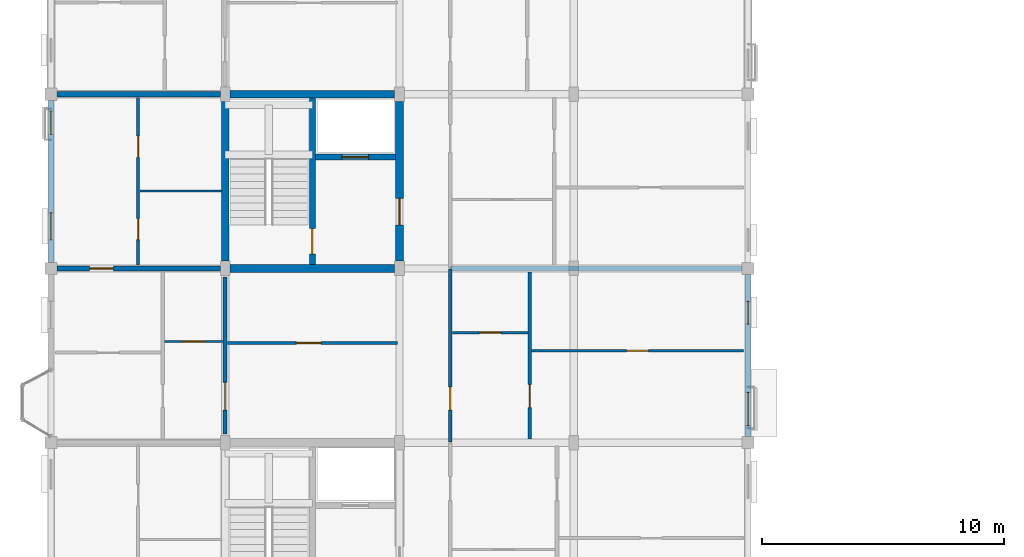
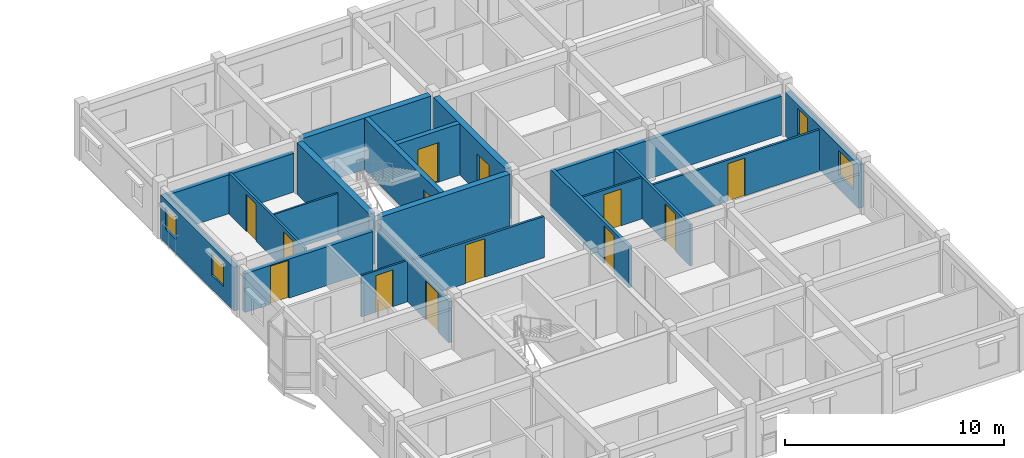
# One storey, part 18 of 38: 20 walls, 13 doors, 4 windows, 17 openings.
"""IFC4 building model written with IfcOpenShell, lengths in metres."""

import ifcopenshell
import ifcopenshell.guid

model = None  # the IFC model being written
_history = None  # IfcOwnerHistory: only IFC2X3 demands one
_inside = {}  # id of a spatial element -> (the spatial element, [elements in it])
_under = {}  # id of a project, library or spatial element -> (it, [spatial elements below it])
_declared = {}  # id of a project -> (the project, [libraries it declares])
_typed = {}  # id of a type object -> (the type object, [elements of that type])
_made_of = {}  # id of a material, layer set ... -> (it, [elements and type objects made of it])


def new_model(schema):
    """Start an empty IFC model of exactly this schema.

    Asked for "IFC4X3", IfcOpenShell would pick the latest addendum, in which some entities
    have other attributes; the version numbers below select the first issue.
    IFC2X3 requires an IfcOwnerHistory on every rooted entity: one is made here for all.
    """
    global model, _history
    if schema == "IFC4X3":
        model = ifcopenshell.file(schema_version=(4, 3, 0, 0))
    else:
        model = ifcopenshell.file(schema=schema)
    _inside.clear()
    _under.clear()
    _declared.clear()
    _typed.clear()
    _made_of.clear()
    _history = None
    if model.schema == "IFC2X3":
        org = make("IfcOrganization", Name="unknown")
        user = make(
            "IfcPersonAndOrganization",
            ThePerson=make("IfcPerson", FamilyName="unknown"),
            TheOrganization=org,
        )
        app = make(
            "IfcApplication",
            ApplicationDeveloper=org,
            Version="unknown",
            ApplicationFullName="unknown",
            ApplicationIdentifier="unknown",
        )
        _history = make(
            "IfcOwnerHistory",
            OwningUser=user,
            OwningApplication=app,
            ChangeAction="ADDED",
            CreationDate=0,
        )
    return model


def make(cls, **values):
    """One entity of the class cls with the attributes given. An attribute that is None is left unset."""
    return model.create_entity(
        cls, **{name: value for name, value in values.items() if value is not None}
    )


def rooted(cls, **values):
    """An entity with a GlobalId (a new one), such as an element, a storey or a relation."""
    return make(cls, GlobalId=ifcopenshell.guid.new(), OwnerHistory=_history, **values)


def si_unit(unit_type, name, prefix=None):
    """IfcSIUnit, for example si_unit("LENGTHUNIT", "METRE", prefix="MILLI")."""
    return make("IfcSIUnit", UnitType=unit_type, Prefix=prefix, Name=name)


def assignment(units):
    """IfcUnitAssignment: the units of a project."""
    return None if units is None else make("IfcUnitAssignment", Units=units)


def point(xyz):
    """IfcCartesianPoint."""
    return None if xyz is None else make("IfcCartesianPoint", Coordinates=xyz)


def direction(xyz):
    """IfcDirection."""
    return None if xyz is None else make("IfcDirection", DirectionRatios=xyz)


def frame(location, z_axis=None, x_axis=None):
    """IfcAxis2Placement3D, a coordinate frame: its origin and axes. An axis left out is left unset."""
    return make(
        "IfcAxis2Placement3D",
        Location=point(location),
        Axis=direction(z_axis),
        RefDirection=direction(x_axis),
    )


def frame_2d(location, x_axis=None):
    """IfcAxis2Placement2D, a coordinate frame in the plane: its origin and x axis."""
    return make(
        "IfcAxis2Placement2D", Location=point(location), RefDirection=direction(x_axis)
    )


def origin():
    """The frame at (0, 0, 0) with its axes left unset."""
    return frame((0.0, 0.0, 0.0))


def place(relative_to, where):
    """IfcLocalPlacement: puts the frame where relative to a parent placement (None: the world)."""
    return make(
        "IfcLocalPlacement", PlacementRelTo=relative_to, RelativePlacement=where
    )


def context(
    kind, dimensions, precision=None, world=None, true_north=None, identifier=None
):
    """IfcGeometricRepresentationContext, for example the 3D "Model" context."""
    return make(
        "IfcGeometricRepresentationContext",
        ContextIdentifier=identifier,
        ContextType=kind,
        CoordinateSpaceDimension=dimensions,
        Precision=precision,
        WorldCoordinateSystem=world,
        TrueNorth=true_north,
    )


def subcontext(parent, identifier, kind, view, scale=None):
    """IfcGeometricRepresentationSubContext, for example "Body" below "Model"."""
    return make(
        "IfcGeometricRepresentationSubContext",
        ContextIdentifier=identifier,
        ContextType=kind,
        ParentContext=parent,
        TargetScale=scale,
        TargetView=view,
    )


def project(units=None, contexts=None):
    """IfcProject with its units and contexts."""
    return rooted(
        "IfcProject",
        Name="project",
        RepresentationContexts=contexts,
        UnitsInContext=assignment(units),
    )


def spatial(cls, under=None, at=None, **own):
    """A site, building, storey or space (cls), placed at a placement, below another one or the project."""
    s = rooted(cls, ObjectPlacement=at, **own)
    if under is not None:
        _under.setdefault(under.id(), (under, []))[1].append(s)
    return s


def profile(cls, at=None, kind="AREA", **sizes):
    """A parametric profile (cls). Its sizes go by their IFC names, for example OverallWidth=200.0."""
    return make(cls, ProfileType=kind, Position=at, **sizes)


def rectangle(**sizes):
    """IfcRectangleProfileDef."""
    return profile("IfcRectangleProfileDef", **sizes)


def extrude(swept, where, along, depth):
    """IfcExtrudedAreaSolid: the profile swept, set in the frame where, extruded along a direction by depth."""
    return make(
        "IfcExtrudedAreaSolid",
        SweptArea=swept,
        Position=where,
        ExtrudedDirection=direction(along),
        Depth=depth,
    )


def shape(context_of_items, identifier, shape_type, items):
    """IfcShapeRepresentation: the items that make up one representation, for example the "Body"."""
    return make(
        "IfcShapeRepresentation",
        ContextOfItems=context_of_items,
        RepresentationIdentifier=identifier,
        RepresentationType=shape_type,
        Items=items,
    )


def material(Name=None, Category=None):
    """IfcMaterial."""
    return make("IfcMaterial", Name=Name, Category=Category)


def layer(
    of_material, thickness, ventilated=None, Name=None, Category=None, Priority=None
):
    """IfcMaterialLayer: one layer of a wall or slab, of a material (None: an air gap)."""
    return make(
        "IfcMaterialLayer",
        Material=of_material,
        LayerThickness=thickness,
        IsVentilated=ventilated,
        Name=Name,
        Category=Category,
        Priority=Priority,
    )


def layer_set(layers, Name=None):
    """IfcMaterialLayerSet."""
    return make("IfcMaterialLayerSet", MaterialLayers=layers, LayerSetName=Name)


def made_of(thing, what):
    """Note that an element or type object is made of a material, layer set ...; save() writes the relation."""
    if what is not None:
        _made_of.setdefault(what.id(), (what, []))[1].append(thing)
    return thing


def type_object(cls, material=None, **own):
    """A type object (cls), such as IfcWallType, which elements share."""
    return made_of(rooted(cls, **own), material)


def element(
    cls,
    number,
    at=None,
    inside=None,
    cuts=None,
    type_object=None,
    material=None,
    context=None,
    identifier="Body",
    shape_type=None,
    held_by="IfcProductDefinitionShape",
    body=None,
    shapes=None,
    **own,
):
    """One element of the class cls, such as IfcWall. Its Tag is "e" and its number.

    at: its placement. inside: the storey or other place that contains it. cuts: it is an
    opening in that element (IfcRelVoidsElement). A single representation is given by context,
    identifier, shape_type and body (its items); several are given by shapes. held_by: the class
    of the entity that holds the representations. save() writes the other relations.
    """
    e = rooted(cls, Tag="e%d" % number, ObjectPlacement=at, **own)
    if body is not None:
        shapes = [shape(context, identifier, shape_type, body)]
    if shapes is not None:
        e.Representation = make(held_by, Representations=shapes)
    if inside is not None:
        _inside.setdefault(inside.id(), (inside, []))[1].append(e)
    if cuts is not None:
        rooted(
            "IfcRelVoidsElement", RelatingBuildingElement=cuts, RelatedOpeningElement=e
        )
    if type_object is not None:
        _typed.setdefault(type_object.id(), (type_object, []))[1].append(e)
    return made_of(e, material)


def fill(opening, filler):
    """IfcRelFillsElement: the door or window that sits in an opening."""
    return rooted(
        "IfcRelFillsElement",
        RelatingOpeningElement=opening,
        RelatedBuildingElement=filler,
    )


def aggregate(whole, parts):
    """IfcRelAggregates: a whole, such as a stair, and the parts it consists of."""
    return rooted("IfcRelAggregates", RelatingObject=whole, RelatedObjects=parts)


def save(model, path):
    """Write the relations noted so far, then the file.

    IfcRelAggregates (storeys below a building ...), IfcRelContainedInSpatialStructure (elements
    in a storey), IfcRelDefinesByType, IfcRelAssociatesMaterial and IfcRelDeclares: one each for
    every whole, place, type object, material and project.
    """
    for whole, parts in _under.values():
        aggregate(whole, parts)
    for where, things in _inside.values():
        rooted(
            "IfcRelContainedInSpatialStructure",
            RelatedElements=things,
            RelatingStructure=where,
        )
    for kind, things in _typed.values():
        rooted("IfcRelDefinesByType", RelatedObjects=things, RelatingType=kind)
    for what, things in _made_of.values():
        rooted("IfcRelAssociatesMaterial", RelatedObjects=things, RelatingMaterial=what)
    for by, libraries in _declared.values():
        rooted("IfcRelDeclares", RelatingContext=by, RelatedDefinitions=libraries)
    model.write(path)


model = new_model("IFC4")

# Units and contexts
model_context = context("Model", 3, precision=1e-05, world=origin(), true_north=direction((0.0, 1.0)))
body_context = subcontext(model_context, "Body", "Model", "MODEL_VIEW")
ifc_project = project(units=[si_unit("LENGTHUNIT", "METRE"), si_unit("AREAUNIT", "SQUARE_METRE"), si_unit("VOLUMEUNIT", "CUBIC_METRE"), si_unit("PLANEANGLEUNIT", "RADIAN"), si_unit("MASSUNIT", "GRAM", prefix="KILO"), si_unit("THERMODYNAMICTEMPERATUREUNIT", "KELVIN"), si_unit("POWERUNIT", "WATT")], contexts=[model_context])

# Site, building, storey
site_placement = place(None, origin())
site = spatial("IfcSite", under=ifc_project, at=site_placement, CompositionType="ELEMENT")
building_placement = place(site_placement, origin())
building = spatial("IfcBuilding", under=site, at=building_placement, Name="Tavuni Mirador Residences", CompositionType="ELEMENT")
storey_placement = place(building_placement, frame((0.0, 0.0, 32.85009765625)))
storey = spatial("IfcBuildingStorey", under=building, at=storey_placement, Name="L10", CompositionType="ELEMENT", Elevation=32.85009765625)

# Wall, opening, door
ifc_material_1 = material(Name="Precast concrete C40/50", Category="concrete")
ifc_layer_1 = layer(ifc_material_1, 0.25, Name="Precast concrete C40/50", Category="concrete")
ifc_layer_set_1 = layer_set([ifc_layer_1], Name="Precast concrete C40/50")
wall_type_1 = type_object("IfcWallType", Name="WT-COR250", PredefinedType="SHEAR", material=ifc_layer_set_1)
wall_1_placement = place(storey_placement, frame((14.39990234375, 28.9599609375, 0.0), z_axis=(0.0, 0.0, 1.0), x_axis=(0.0, 1.0, 0.0)))
wall_1 = element("IfcWall", 1, at=wall_1_placement, inside=storey, type_object=wall_type_1, Name="CWALL-C2-L10-MID", PredefinedType="SHEAR", context=body_context, shape_type="SweptSolid", body=[
    extrude(rectangle(XDim=6.880126953125, YDim=0.25, at=frame_2d((3.43994140625, 0.0))), origin(), (0.0, 0.0, 1.0), 2.869873046875),
])
opening_1_placement = place(wall_1_placement, frame((0.43994140625, 0.0, 0.0)))
opening_1 = element("IfcOpeningElement", 2, at=opening_1_placement, cuts=wall_1, Name="Opening D-01", PredefinedType="OPENING", context=body_context, shape_type="SweptSolid", body=[
    extrude(rectangle(XDim=1.050048828125, YDim=2.14990234375, at=frame_2d((0.52490234375, 1.074951171875))), frame((0.0, 0.135009765625, 0.0), z_axis=(0.0, -1.0, 0.0), x_axis=(1.0, 0.0, 0.0)), (0.0, 0.0, 1.0), 0.27001953125),
])
ifc_material_2 = material(Name="Solid core iroko timber", Category="wood")
door_type_1 = type_object("IfcDoorType", Name="DT-ST1050", OperationType="NOTDEFINED", PredefinedType="DOOR", material=ifc_material_2)
door_1_placement = place(opening_1_placement, origin())
door_1 = element("IfcDoor", 3, at=door_1_placement, inside=storey, type_object=door_type_1, Name="DR-2090", OperationType="SINGLE_SWING_RIGHT", OverallHeight=2.14990234375, OverallWidth=1.050048828125, PredefinedType="DOOR", context=body_context, shape_type="SweptSolid", body=[
    extrude(rectangle(XDim=1.050048828125, YDim=2.14990234375, at=frame_2d((0.52490234375, 1.074951171875))), frame((0.0, 0.02490234375, 0.0), z_axis=(0.0, -1.0, 0.0), x_axis=(1.0, 0.0, 0.0)), (0.0, 0.0, 1.0), 0.050048828125),
])
fill(opening_1, door_1)

wall_2_placement = place(storey_placement, frame((14.52490234375, 33.39990234375, 0.0), z_axis=(0.0, 0.0, 1.0), x_axis=(1.0, 0.0, 0.0)))
wall_2 = element("IfcWall", 4, at=wall_2_placement, inside=storey, type_object=wall_type_1, Name="CWALL-C2-L10-SHF", PredefinedType="SHEAR", context=body_context, shape_type="SweptSolid", body=[
    extrude(rectangle(XDim=3.315185546875, YDim=0.25, at=frame_2d((1.65771484375, 0.0))), origin(), (0.0, 0.0, 1.0), 2.869873046875),
])
opening_2_placement = place(wall_2_placement, frame((1.10009765625, 0.0, 0.0)))
opening_2 = element("IfcOpeningElement", 5, at=opening_2_placement, cuts=wall_2, Name="Opening LD-01", PredefinedType="OPENING", context=body_context, shape_type="SweptSolid", body=[
    extrude(rectangle(XDim=1.10009765625, YDim=2.199951171875, at=frame_2d((0.550048828125, 1.10009765625))), frame((0.0, 0.135009765625, 0.0), z_axis=(0.0, -1.0, 0.0), x_axis=(1.0, 0.0, 0.0)), (0.0, 0.0, 1.0), 0.27001953125),
])
ifc_material_3 = material(Name="Structural steel S355", Category="steel")
door_type_2 = type_object("IfcDoorType", Name="DT-LD-FF", OperationType="SLIDING_TO_LEFT", PredefinedType="DOOR", material=ifc_material_3)
door_2_placement = place(opening_2_placement, origin())
door_2 = element("IfcDoor", 6, at=door_2_placement, inside=storey, type_object=door_type_2, Name="Lift landing door FL-A2 L10", OperationType="SLIDING_TO_LEFT", OverallHeight=2.199951171875, OverallWidth=1.10009765625, PredefinedType="DOOR", context=body_context, shape_type="SweptSolid", body=[
    extrude(rectangle(XDim=1.10009765625, YDim=2.199951171875, at=frame_2d((0.550048828125, 1.10009765625))), frame((0.0, 0.02490234375, 0.0), z_axis=(0.0, -1.0, 0.0), x_axis=(1.0, 0.0, 0.0)), (0.0, 0.0, 1.0), 0.050048828125),
])
fill(opening_2, door_2)

# Walls
ifc_layer_2 = layer(ifc_material_1, 0.320068359375, Name="Precast concrete C40/50", Category="concrete")
ifc_layer_set_2 = layer_set([ifc_layer_2], Name="Precast concrete C40/50")
wall_type_2 = type_object("IfcWallType", Name="WT-COR320", PredefinedType="SHEAR", material=ifc_layer_set_2)
wall_3_placement = place(storey_placement, frame((10.800048828125, 29.10009765625, 0.0), z_axis=(0.0, 0.0, 1.0), x_axis=(0.0, 1.0, 0.0)))
element("IfcWall", 7, at=wall_3_placement, inside=storey, type_object=wall_type_2, Name="CWALL-C2-L10-W", PredefinedType="SHEAR", context=body_context, shape_type="SweptSolid", body=[
    extrude(rectangle(XDim=6.599853515625, YDim=0.320068359375, at=frame_2d((3.2998046875, 0.0))), origin(), (0.0, 0.0, 1.0), 2.869873046875),
])
wall_4_placement = place(storey_placement, frame((11.0, 36.0, 0.0), z_axis=(0.0, 0.0, 1.0), x_axis=(1.0, 0.0, 0.0)))
element("IfcWall", 8, at=wall_4_placement, inside=storey, type_object=wall_type_2, Name="CWALL-C2-L10-N", PredefinedType="SHEAR", context=body_context, shape_type="SweptSolid", body=[
    extrude(rectangle(XDim=6.800048828125, YDim=0.320068359375, at=frame_2d((3.39990234375, 0.0))), origin(), (0.0, 0.0, 1.0), 2.869873046875),
])

# Wall, opening, door
wall_5_placement = place(storey_placement, frame((18.0, 29.10009765625, 0.0), z_axis=(0.0, 0.0, 1.0), x_axis=(0.0, 1.0, 0.0)))
wall_5 = element("IfcWall", 9, at=wall_5_placement, inside=storey, type_object=wall_type_2, Name="CWALL-C2-L10-E", PredefinedType="SHEAR", context=body_context, shape_type="SweptSolid", body=[
    extrude(rectangle(XDim=6.599853515625, YDim=0.320068359375, at=frame_2d((3.2998046875, 0.0))), origin(), (0.0, 0.0, 1.0), 2.869873046875),
])
opening_3_placement = place(wall_5_placement, frame((1.5, 0.0, 0.0)))
opening_3 = element("IfcOpeningElement", 10, at=opening_3_placement, cuts=wall_5, Name="Opening D-02", PredefinedType="OPENING", context=body_context, shape_type="SweptSolid", body=[
    extrude(rectangle(XDim=1.10009765625, YDim=2.14990234375, at=frame_2d((0.550048828125, 1.074951171875))), frame((0.0, 0.169921875, 0.0), z_axis=(0.0, -1.0, 0.0), x_axis=(1.0, 0.0, 0.0)), (0.0, 0.0, 1.0), 0.340087890625),
])
door_type_3 = type_object("IfcDoorType", Name="DT-LOB1100", OperationType="NOTDEFINED", PredefinedType="DOOR", material=ifc_material_2)
door_3_placement = place(opening_3_placement, frame((1.10009765625, 0.0, 0.0), z_axis=(0.0, 0.0, 1.0), x_axis=(-1.0, 0.0, 0.0)))
door_3 = element("IfcDoor", 11, at=door_3_placement, inside=storey, type_object=door_type_3, Name="DR-2089", OperationType="SINGLE_SWING_RIGHT", OverallHeight=2.14990234375, OverallWidth=1.10009765625, PredefinedType="DOOR", context=body_context, shape_type="SweptSolid", body=[
    extrude(rectangle(XDim=1.10009765625, YDim=2.14990234375, at=frame_2d((0.550048828125, 1.074951171875))), frame((0.0, 0.02490234375, 0.0), z_axis=(0.0, -1.0, 0.0), x_axis=(1.0, 0.0, 0.0)), (0.0, 0.0, 1.0), 0.050048828125),
])
fill(opening_3, door_3)

# Wall
wall_6_placement = place(storey_placement, frame((11.0, 28.800048828125, 0.0), z_axis=(0.0, 0.0, 1.0), x_axis=(1.0, 0.0, 0.0)))
element("IfcWall", 12, at=wall_6_placement, inside=storey, type_object=wall_type_2, Name="CWALL-C2-L10-SS", PredefinedType="SHEAR", context=body_context, shape_type="SweptSolid", body=[
    extrude(rectangle(XDim=6.800048828125, YDim=0.320068359375, at=frame_2d((3.39990234375, 0.0))), origin(), (0.0, 0.0, 1.0), 2.869873046875),
])

# Wall, opening, door
ifc_layer_3 = layer(ifc_material_1, 0.1650390625, Name="Precast concrete C40/50", Category="concrete")
ifc_layer_set_3 = layer_set([ifc_layer_3], Name="Precast concrete C40/50")
wall_type_3 = type_object("IfcWallType", Name="WT-CORR165", PredefinedType="PARTITIONING", material=ifc_layer_set_3)
wall_7_placement = place(storey_placement, frame((20.10009765625, 21.6201171875, 0.0), z_axis=(0.0, 0.0, 1.0), x_axis=(0.0, 1.0, 0.0)))
wall_7 = element("IfcWall", 13, at=wall_7_placement, inside=storey, type_object=wall_type_3, Name="CORW-BLK-A-L10-0-02", PredefinedType="PARTITIONING", context=body_context, shape_type="SweptSolid", body=[
    extrude(rectangle(XDim=7.159912109375, YDim=0.1650390625, at=frame_2d((3.580078125, 0.0))), origin(), (0.0, 0.0, 1.0), 2.304931640625),
])
opening_4_placement = place(wall_7_placement, frame((1.330078125, 0.0, 0.0)))
opening_4 = element("IfcOpeningElement", 14, at=opening_4_placement, cuts=wall_7, Name="Opening D-19", PredefinedType="OPENING", context=body_context, shape_type="SweptSolid", body=[
    extrude(rectangle(XDim=0.93994140625, YDim=2.1201171875, at=frame_2d((0.469970703125, 1.06005859375))), frame((0.0, 0.092529296875, 0.0), z_axis=(0.0, -1.0, 0.0), x_axis=(1.0, 0.0, 0.0)), (0.0, 0.0, 1.0), 0.18505859375),
])
door_type_4 = type_object("IfcDoorType", Name="DT-FD60-940", OperationType="NOTDEFINED", PredefinedType="DOOR", material=ifc_material_2)
door_4_placement = place(opening_4_placement, origin())
door_4 = element("IfcDoor", 15, at=door_4_placement, inside=storey, type_object=door_type_4, Name="DR-2479", OperationType="SINGLE_SWING_RIGHT", OverallHeight=2.1201171875, OverallWidth=0.93994140625, PredefinedType="DOOR", context=body_context, shape_type="SweptSolid", body=[
    extrude(rectangle(XDim=0.93994140625, YDim=2.1201171875, at=frame_2d((0.469970703125, 1.06005859375))), frame((0.0, 0.02490234375, 0.0), z_axis=(0.0, -1.0, 0.0), x_axis=(1.0, 0.0, 0.0)), (0.0, 0.0, 1.0), 0.050048828125),
])
fill(opening_4, door_4)

wall_8_placement = place(storey_placement, frame((10.800048828125, 21.949951171875, 0.0), z_axis=(0.0, 0.0, 1.0), x_axis=(0.0, 1.0, 0.0)))
wall_8 = element("IfcWall", 16, at=wall_8_placement, inside=storey, type_object=wall_type_3, Name="CORW-BLK-A-L10-1-02", PredefinedType="PARTITIONING", context=body_context, shape_type="SweptSolid", body=[
    extrude(rectangle(XDim=6.5, YDim=0.1650390625, at=frame_2d((3.25, 0.0))), origin(), (0.0, 0.0, 1.0), 2.304931640625),
])
opening_5_placement = place(wall_8_placement, frame((1.0, 0.0, 0.0)))
opening_5 = element("IfcOpeningElement", 17, at=opening_5_placement, cuts=wall_8, Name="Opening D-20", PredefinedType="OPENING", context=body_context, shape_type="SweptSolid", body=[
    extrude(rectangle(XDim=1.139892578125, YDim=2.179931640625, at=frame_2d((0.56982421875, 1.08984375))), frame((0.0, 0.092529296875, 0.0), z_axis=(0.0, -1.0, 0.0), x_axis=(1.0, 0.0, 0.0)), (0.0, 0.0, 1.0), 0.18505859375),
])
door_type_5 = type_object("IfcDoorType", Name="DT-FD60-1140", OperationType="NOTDEFINED", PredefinedType="DOOR", material=ifc_material_2)
door_5_placement = place(opening_5_placement, origin())
door_5 = element("IfcDoor", 18, at=door_5_placement, inside=storey, type_object=door_type_5, Name="DR-2483", OperationType="SINGLE_SWING_RIGHT", OverallHeight=2.179931640625, OverallWidth=1.139892578125, PredefinedType="DOOR", context=body_context, shape_type="SweptSolid", body=[
    extrude(rectangle(XDim=1.139892578125, YDim=2.179931640625, at=frame_2d((0.56982421875, 1.08984375))), frame((0.0, 0.02490234375, 0.0), z_axis=(0.0, -1.0, 0.0), x_axis=(1.0, 0.0, 0.0)), (0.0, 0.0, 1.0), 0.050048828125),
])
fill(opening_5, door_5)

# Wall, openings, windows
ifc_material_4 = material(Name="Sgraffito lime-rendered precast concrete C40/50", Category="concrete")
ifc_layer_4 = layer(ifc_material_4, 0.2451171875, Name="Sgraffito lime-rendered precast concrete C40/50", Category="concrete")
ifc_layer_set_4 = layer_set([ifc_layer_4], Name="Sgraffito lime-rendered precast concrete C40/50")
wall_type_4 = type_object("IfcWallType", Name="WT-EXT-PC245", PredefinedType="SOLIDWALL", material=ifc_layer_set_4)
wall_9_placement = place(storey_placement, frame((3.60009765625, 35.75, 0.0), z_axis=(0.0, 0.0, 1.0), x_axis=(0.0, -1.0, 0.0)))
wall_9 = element("IfcWall", 19, at=wall_9_placement, inside=storey, type_object=wall_type_4, Name="EW-BLK-A-L10-W03", PredefinedType="SOLIDWALL", context=body_context, shape_type="SweptSolid", body=[
    extrude(rectangle(XDim=6.699951171875, YDim=0.2451171875, at=frame_2d((3.35009765625, 0.0))), origin(), (0.0, 0.0, 1.0), 2.43994140625),
])
opening_6_placement = place(wall_9_placement, frame((0.449951171875, 0.0, 0.780029296875)))
opening_6 = element("IfcOpeningElement", 20, at=opening_6_placement, cuts=wall_9, Name="Opening WN-10", PredefinedType="OPENING", context=body_context, shape_type="SweptSolid", body=[
    extrude(rectangle(XDim=0.9599609375, YDim=1.260009765625, at=frame_2d((0.47998046875, 0.6298828125))), frame((0.0, 0.132568359375, 0.0), z_axis=(0.0, -1.0, 0.0), x_axis=(1.0, 0.0, 0.0)), (0.0, 0.0, 1.0), 0.26513671875),
])
opening_7_placement = place(wall_9_placement, frame((4.64990234375, 0.0, 0.780029296875)))
opening_7 = element("IfcOpeningElement", 21, at=opening_7_placement, cuts=wall_9, Name="Opening WN-12", PredefinedType="OPENING", context=body_context, shape_type="SweptSolid", body=[
    extrude(rectangle(XDim=1.1201171875, YDim=1.260009765625, at=frame_2d((0.56005859375, 0.6298828125))), frame((0.0, 0.132568359375, 0.0), z_axis=(0.0, -1.0, 0.0), x_axis=(1.0, 0.0, 0.0)), (0.0, 0.0, 1.0), 0.26513671875),
])
ifc_material_5 = material(Name="Laminated solar-control glass", Category="glass")
window_type_1 = type_object("IfcWindowType", Name="WNT-10", PartitioningType="SINGLE_PANEL", PredefinedType="WINDOW", material=ifc_material_5)
window_1_placement = place(opening_6_placement, origin())
window_1 = element("IfcWindow", 22, at=window_1_placement, inside=storey, type_object=window_type_1, Name="WIN-0389", OverallHeight=1.260009765625, OverallWidth=0.9599609375, PartitioningType="SINGLE_PANEL", PredefinedType="WINDOW", context=body_context, shape_type="SweptSolid", body=[
    extrude(rectangle(XDim=0.9599609375, YDim=1.260009765625, at=frame_2d((0.47998046875, 0.6298828125))), frame((0.0, 0.030029296875, 0.0), z_axis=(0.0, -1.0, 0.0), x_axis=(1.0, 0.0, 0.0)), (0.0, 0.0, 1.0), 0.06005859375),
])
fill(opening_6, window_1)
window_type_2 = type_object("IfcWindowType", Name="WNT-12", PartitioningType="SINGLE_PANEL", PredefinedType="WINDOW", material=ifc_material_5)
window_2_placement = place(opening_7_placement, origin())
window_2 = element("IfcWindow", 23, at=window_2_placement, inside=storey, type_object=window_type_2, Name="WIN-0390", OverallHeight=1.260009765625, OverallWidth=1.1201171875, PartitioningType="SINGLE_PANEL", PredefinedType="WINDOW", context=body_context, shape_type="SweptSolid", body=[
    extrude(rectangle(XDim=1.1201171875, YDim=1.260009765625, at=frame_2d((0.56005859375, 0.6298828125))), frame((0.0, 0.030029296875, 0.0), z_axis=(0.0, -1.0, 0.0), x_axis=(1.0, 0.0, 0.0)), (0.0, 0.0, 1.0), 0.06005859375),
])
fill(opening_7, window_2)

ifc_layer_5 = layer(ifc_material_4, 0.2548828125, Name="Sgraffito lime-rendered precast concrete C40/50", Category="concrete")
ifc_layer_set_5 = layer_set([ifc_layer_5], Name="Sgraffito lime-rendered precast concrete C40/50")
wall_type_5 = type_object("IfcWallType", Name="WT-EXT-PC255", PredefinedType="SOLIDWALL", material=ifc_layer_set_5)
wall_10_placement = place(storey_placement, frame((32.39990234375, 21.85009765625, 0.0), z_axis=(0.0, 0.0, 1.0), x_axis=(0.0, 1.0, 0.0)))
wall_10 = element("IfcWall", 24, at=wall_10_placement, inside=storey, type_object=wall_type_5, Name="EW-BLK-A-L10-E02", PredefinedType="SOLIDWALL", context=body_context, shape_type="SweptSolid", body=[
    extrude(rectangle(XDim=6.699951171875, YDim=0.2548828125, at=frame_2d((3.35009765625, 0.0))), origin(), (0.0, 0.0, 1.0), 2.43994140625),
])
opening_8_placement = place(wall_10_placement, frame((0.449951171875, 0.0, 0.780029296875)))
opening_8 = element("IfcOpeningElement", 25, at=opening_8_placement, cuts=wall_10, Name="Opening WN-23", PredefinedType="OPENING", context=body_context, shape_type="SweptSolid", body=[
    extrude(rectangle(XDim=1.3798828125, YDim=1.360107421875, at=frame_2d((0.68994140625, 0.68017578125))), frame((0.0, 0.137451171875, 0.0), z_axis=(0.0, -1.0, 0.0), x_axis=(1.0, 0.0, 0.0)), (0.0, 0.0, 1.0), 0.27490234375),
])
opening_9_placement = place(wall_10_placement, frame((4.64990234375, 0.0, 0.780029296875)))
opening_9 = element("IfcOpeningElement", 26, at=opening_9_placement, cuts=wall_10, Name="Opening WN-25", PredefinedType="OPENING", context=body_context, shape_type="SweptSolid", body=[
    extrude(rectangle(XDim=0.93994140625, YDim=1.43994140625, at=frame_2d((0.469970703125, 0.719970703125))), frame((0.0, 0.137451171875, 0.0), z_axis=(0.0, -1.0, 0.0), x_axis=(1.0, 0.0, 0.0)), (0.0, 0.0, 1.0), 0.27490234375),
])
window_type_3 = type_object("IfcWindowType", Name="WNT-23", PartitioningType="SINGLE_PANEL", PredefinedType="WINDOW", material=ifc_material_5)
window_3_placement = place(opening_8_placement, origin())
window_3 = element("IfcWindow", 27, at=window_3_placement, inside=storey, type_object=window_type_3, Name="WIN-0372", OverallHeight=1.360107421875, OverallWidth=1.3798828125, PartitioningType="SINGLE_PANEL", PredefinedType="WINDOW", context=body_context, shape_type="SweptSolid", body=[
    extrude(rectangle(XDim=1.3798828125, YDim=1.360107421875, at=frame_2d((0.68994140625, 0.68017578125))), frame((0.0, 0.030029296875, 0.0), z_axis=(0.0, -1.0, 0.0), x_axis=(1.0, 0.0, 0.0)), (0.0, 0.0, 1.0), 0.06005859375),
])
fill(opening_8, window_3)
window_type_4 = type_object("IfcWindowType", Name="WNT-25", PartitioningType="SINGLE_PANEL", PredefinedType="WINDOW", material=ifc_material_5)
window_4_placement = place(opening_9_placement, origin())
window_4 = element("IfcWindow", 28, at=window_4_placement, inside=storey, type_object=window_type_4, Name="WIN-0373", OverallHeight=1.43994140625, OverallWidth=0.93994140625, PartitioningType="SINGLE_PANEL", PredefinedType="WINDOW", context=body_context, shape_type="SweptSolid", body=[
    extrude(rectangle(XDim=0.93994140625, YDim=1.43994140625, at=frame_2d((0.469970703125, 0.719970703125))), frame((0.0, 0.030029296875, 0.0), z_axis=(0.0, -1.0, 0.0), x_axis=(1.0, 0.0, 0.0)), (0.0, 0.0, 1.0), 0.06005859375),
])
fill(opening_9, window_4)

# Wall, opening, door
ifc_material_6 = material(Name="Acoustic gypsum and concrete block partition", Category="concrete")
ifc_layer_6 = layer(ifc_material_6, 0.094970703125, Name="Acoustic gypsum and concrete block partition", Category="concrete")
ifc_layer_set_6 = layer_set([ifc_layer_6], Name="Acoustic gypsum and concrete block partition")
wall_type_6 = type_object("IfcWallType", Name="WT-PART095", PredefinedType="PARTITIONING", material=ifc_layer_set_6)
wall_11_placement = place(storey_placement, frame((8.2900390625, 25.780029296875, 0.0), z_axis=(0.0, 0.0, 1.0), x_axis=(1.0, 0.0, 0.0)))
wall_11 = element("IfcWall", 29, at=wall_11_placement, inside=storey, type_object=wall_type_6, Name="PW-BLK-A-L10-W02-IN1", PredefinedType="PARTITIONING", context=body_context, shape_type="SweptSolid", body=[
    extrude(rectangle(XDim=2.419921875, YDim=0.094970703125, at=frame_2d((1.2099609375, 0.0))), origin(), (0.0, 0.0, 1.0), 2.304931640625),
])
opening_10_placement = place(wall_11_placement, frame((0.760009765625, 0.0, 0.0)))
opening_10 = element("IfcOpeningElement", 30, at=opening_10_placement, cuts=wall_11, Name="Opening D-09", PredefinedType="OPENING", context=body_context, shape_type="SweptSolid", body=[
    extrude(rectangle(XDim=0.89990234375, YDim=2.050048828125, at=frame_2d((0.449951171875, 1.02490234375))), frame((0.0, 0.0576171875, 0.0), z_axis=(0.0, -1.0, 0.0), x_axis=(1.0, 0.0, 0.0)), (0.0, 0.0, 1.0), 0.114990234375),
])
door_type_6 = type_object("IfcDoorType", Name="DT-WC900", OperationType="NOTDEFINED", PredefinedType="DOOR", material=ifc_material_2)
door_6_placement = place(opening_10_placement, origin())
door_6 = element("IfcDoor", 31, at=door_6_placement, inside=storey, type_object=door_type_6, Name="DR-3270", OperationType="SINGLE_SWING_RIGHT", OverallHeight=2.050048828125, OverallWidth=0.89990234375, PredefinedType="DOOR", context=body_context, shape_type="SweptSolid", body=[
    extrude(rectangle(XDim=0.89990234375, YDim=2.050048828125, at=frame_2d((0.449951171875, 1.02490234375))), frame((0.0, 0.02490234375, 0.0), z_axis=(0.0, -1.0, 0.0), x_axis=(1.0, 0.0, 0.0)), (0.0, 0.0, 1.0), 0.050048828125),
])
fill(opening_10, door_6)

# Wall
wall_12_placement = place(storey_placement, frame((7.27001953125, 32.0, 0.0), z_axis=(0.0, 0.0, 1.0), x_axis=(1.0, 0.0, 0.0)))
element("IfcWall", 32, at=wall_12_placement, inside=storey, type_object=wall_type_6, Name="PW-BLK-A-L10-WC03-H", PredefinedType="PARTITIONING", context=body_context, shape_type="SweptSolid", body=[
    extrude(rectangle(XDim=3.389892578125, YDim=0.094970703125, at=frame_2d((1.69482421875, 0.0))), origin(), (0.0, 0.0, 1.0), 2.304931640625),
])

# Wall, opening, door
ifc_layer_7 = layer(ifc_material_6, 0.10498046875, Name="Acoustic gypsum and concrete block partition", Category="concrete")
ifc_layer_set_7 = layer_set([ifc_layer_7], Name="Acoustic gypsum and concrete block partition")
wall_type_7 = type_object("IfcWallType", Name="WT-PART105", PredefinedType="PARTITIONING", material=ifc_layer_set_7)
wall_13_placement = place(storey_placement, frame((20.18994140625, 26.14990234375, 0.0), z_axis=(0.0, 0.0, 1.0), x_axis=(1.0, 0.0, 0.0)))
wall_13 = element("IfcWall", 33, at=wall_13_placement, inside=storey, type_object=wall_type_7, Name="PW-BLK-A-L10-E02-IN1", PredefinedType="PARTITIONING", context=body_context, shape_type="SweptSolid", body=[
    extrude(rectangle(XDim=3.1201171875, YDim=0.10498046875, at=frame_2d((1.56005859375, 0.0))), origin(), (0.0, 0.0, 1.0), 2.304931640625),
])
opening_11_placement = place(wall_13_placement, frame((1.110107421875, 0.0, 0.0)))
opening_11 = element("IfcOpeningElement", 34, at=opening_11_placement, cuts=wall_13, Name="Opening D-09", PredefinedType="OPENING", context=body_context, shape_type="SweptSolid", body=[
    extrude(rectangle(XDim=0.89990234375, YDim=2.050048828125, at=frame_2d((0.449951171875, 1.02490234375))), frame((0.0, 0.0625, 0.0), z_axis=(0.0, -1.0, 0.0), x_axis=(1.0, 0.0, 0.0)), (0.0, 0.0, 1.0), 0.125),
])
door_7_placement = place(opening_11_placement, origin())
door_7 = element("IfcDoor", 35, at=door_7_placement, inside=storey, type_object=door_type_6, Name="DR-3273", OperationType="SINGLE_SWING_RIGHT", OverallHeight=2.050048828125, OverallWidth=0.89990234375, PredefinedType="DOOR", context=body_context, shape_type="SweptSolid", body=[
    extrude(rectangle(XDim=0.89990234375, YDim=2.050048828125, at=frame_2d((0.449951171875, 1.02490234375))), frame((0.0, 0.02490234375, 0.0), z_axis=(0.0, -1.0, 0.0), x_axis=(1.0, 0.0, 0.0)), (0.0, 0.0, 1.0), 0.050048828125),
])
fill(opening_11, door_7)

ifc_layer_8 = layer(ifc_material_6, 0.114990234375, Name="Acoustic gypsum and concrete block partition", Category="concrete")
ifc_layer_set_8 = layer_set([ifc_layer_8], Name="Acoustic gypsum and concrete block partition")
wall_type_8 = type_object("IfcWallType", Name="WT-PART115", PredefinedType="PARTITIONING", material=ifc_layer_set_8)
wall_14_placement = place(storey_placement, frame((10.889892578125, 25.719970703125, 0.0), z_axis=(0.0, 0.0, 1.0), x_axis=(1.0, 0.0, 0.0)))
wall_14 = element("IfcWall", 36, at=wall_14_placement, inside=storey, type_object=wall_type_8, Name="PW-SPN-BLK-A-L10-02", PredefinedType="PARTITIONING", context=body_context, shape_type="SweptSolid", body=[
    extrude(rectangle(XDim=7.02001953125, YDim=0.114990234375, at=frame_2d((3.510009765625, 0.0))), origin(), (0.0, 0.0, 1.0), 2.304931640625),
])
opening_12_placement = place(wall_14_placement, frame((2.85009765625, 0.0, 0.0)))
opening_12 = element("IfcOpeningElement", 37, at=opening_12_placement, cuts=wall_14, Name="Opening D-13", PredefinedType="OPENING", context=body_context, shape_type="SweptSolid", body=[
    extrude(rectangle(XDim=1.02001953125, YDim=2.14990234375, at=frame_2d((0.510009765625, 1.074951171875))), frame((0.0, 0.0673828125, 0.0), z_axis=(0.0, -1.0, 0.0), x_axis=(1.0, 0.0, 0.0)), (0.0, 0.0, 1.0), 0.135009765625),
])
door_type_7 = type_object("IfcDoorType", Name="DT-MTG1020", OperationType="NOTDEFINED", PredefinedType="DOOR", material=ifc_material_2)
door_8_placement = place(opening_12_placement, origin())
door_8 = element("IfcDoor", 38, at=door_8_placement, inside=storey, type_object=door_type_7, Name="DR-3268", OperationType="SINGLE_SWING_LEFT", OverallHeight=2.14990234375, OverallWidth=1.02001953125, PredefinedType="DOOR", context=body_context, shape_type="SweptSolid", body=[
    extrude(rectangle(XDim=1.02001953125, YDim=2.14990234375, at=frame_2d((0.510009765625, 1.074951171875))), frame((0.0, 0.02490234375, 0.0), z_axis=(0.0, -1.0, 0.0), x_axis=(1.0, 0.0, 0.0)), (0.0, 0.0, 1.0), 0.050048828125),
])
fill(opening_12, door_8)

wall_15_placement = place(storey_placement, frame((23.449951171875, 25.39990234375, 0.0), z_axis=(0.0, 0.0, 1.0), x_axis=(1.0, 0.0, 0.0)))
wall_15 = element("IfcWall", 39, at=wall_15_placement, inside=storey, type_object=wall_type_8, Name="PW-BLK-A-L10-E02-OUT", PredefinedType="PARTITIONING", context=body_context, shape_type="SweptSolid", body=[
    extrude(rectangle(XDim=8.775146484375, YDim=0.114990234375, at=frame_2d((4.3876953125, 0.0))), origin(), (0.0, 0.0, 1.0), 2.304931640625),
])
opening_13_placement = place(wall_15_placement, frame((3.9375, 0.0, 0.0)))
opening_13 = element("IfcOpeningElement", 40, at=opening_13_placement, cuts=wall_15, Name="Opening D-07", PredefinedType="OPENING", context=body_context, shape_type="SweptSolid", body=[
    extrude(rectangle(XDim=0.89990234375, YDim=2.10009765625, at=frame_2d((0.449951171875, 1.050048828125))), frame((0.0, 0.0673828125, 0.0), z_axis=(0.0, -1.0, 0.0), x_axis=(1.0, 0.0, 0.0)), (0.0, 0.0, 1.0), 0.135009765625),
])
door_type_8 = type_object("IfcDoorType", Name="DT-BED900", OperationType="NOTDEFINED", PredefinedType="DOOR", material=ifc_material_2)
door_9_placement = place(opening_13_placement, origin())
door_9 = element("IfcDoor", 41, at=door_9_placement, inside=storey, type_object=door_type_8, Name="DR-3272", OperationType="SINGLE_SWING_LEFT", OverallHeight=2.10009765625, OverallWidth=0.89990234375, PredefinedType="DOOR", context=body_context, shape_type="SweptSolid", body=[
    extrude(rectangle(XDim=0.89990234375, YDim=2.10009765625, at=frame_2d((0.449951171875, 1.050048828125))), frame((0.0, 0.02490234375, 0.0), z_axis=(0.0, -1.0, 0.0), x_axis=(1.0, 0.0, 0.0)), (0.0, 0.0, 1.0), 0.050048828125),
])
fill(opening_13, door_9)

# Wall, openings, doors
ifc_layer_9 = layer(ifc_material_6, 0.125, Name="Acoustic gypsum and concrete block partition", Category="concrete")
ifc_layer_set_9 = layer_set([ifc_layer_9], Name="Acoustic gypsum and concrete block partition")
wall_type_9 = type_object("IfcWallType", Name="WT-PART125", PredefinedType="PARTITIONING", material=ifc_layer_set_9)
wall_16_placement = place(storey_placement, frame((7.199951171875, 28.93994140625, 0.0), z_axis=(0.0, 0.0, 1.0), x_axis=(0.0, 1.0, 0.0)))
wall_16 = element("IfcWall", 42, at=wall_16_placement, inside=storey, type_object=wall_type_9, Name="PW-BLK-A-L10-WC03-M", PredefinedType="PARTITIONING", context=body_context, shape_type="SweptSolid", body=[
    extrude(rectangle(XDim=6.920166015625, YDim=0.125, at=frame_2d((3.4599609375, 0.0))), origin(), (0.0, 0.0, 1.0), 2.304931640625),
])
opening_14_placement = place(wall_16_placement, frame((1.050048828125, 0.0, 0.0)))
opening_14 = element("IfcOpeningElement", 43, at=opening_14_placement, cuts=wall_16, Name="Opening D-10", PredefinedType="OPENING", context=body_context, shape_type="SweptSolid", body=[
    extrude(rectangle(XDim=0.8701171875, YDim=2.050048828125, at=frame_2d((0.43505859375, 1.02490234375))), frame((0.0, 0.072509765625, 0.0), z_axis=(0.0, -1.0, 0.0), x_axis=(1.0, 0.0, 0.0)), (0.0, 0.0, 1.0), 0.14501953125),
])
opening_15_placement = place(wall_16_placement, frame((4.449951171875, 0.0, 0.0)))
opening_15 = element("IfcOpeningElement", 44, at=opening_15_placement, cuts=wall_16, Name="Opening D-08", PredefinedType="OPENING", context=body_context, shape_type="SweptSolid", body=[
    extrude(rectangle(XDim=0.8798828125, YDim=2.080078125, at=frame_2d((0.43994140625, 1.0400390625))), frame((0.0, 0.072509765625, 0.0), z_axis=(0.0, -1.0, 0.0), x_axis=(1.0, 0.0, 0.0)), (0.0, 0.0, 1.0), 0.14501953125),
])
door_type_9 = type_object("IfcDoorType", Name="DT-BED880", OperationType="NOTDEFINED", PredefinedType="DOOR", material=ifc_material_2)
door_10_placement = place(opening_15_placement, origin())
door_10 = element("IfcDoor", 45, at=door_10_placement, inside=storey, type_object=door_type_9, Name="DR-3276", OperationType="SINGLE_SWING_LEFT", OverallHeight=2.080078125, OverallWidth=0.8798828125, PredefinedType="DOOR", context=body_context, shape_type="SweptSolid", body=[
    extrude(rectangle(XDim=0.8798828125, YDim=2.080078125, at=frame_2d((0.43994140625, 1.0400390625))), frame((0.0, 0.02490234375, 0.0), z_axis=(0.0, -1.0, 0.0), x_axis=(1.0, 0.0, 0.0)), (0.0, 0.0, 1.0), 0.050048828125),
])
fill(opening_15, door_10)
door_type_10 = type_object("IfcDoorType", Name="DT-WC870", OperationType="NOTDEFINED", PredefinedType="DOOR", material=ifc_material_2)
door_11_placement = place(opening_14_placement, origin())
door_11 = element("IfcDoor", 46, at=door_11_placement, inside=storey, type_object=door_type_10, Name="DR-3275", OperationType="SINGLE_SWING_RIGHT", OverallHeight=2.050048828125, OverallWidth=0.8701171875, PredefinedType="DOOR", context=body_context, shape_type="SweptSolid", body=[
    extrude(rectangle(XDim=0.8701171875, YDim=2.050048828125, at=frame_2d((0.43505859375, 1.02490234375))), frame((0.0, 0.02490234375, 0.0), z_axis=(0.0, -1.0, 0.0), x_axis=(1.0, 0.0, 0.0)), (0.0, 0.0, 1.0), 0.050048828125),
])
fill(opening_14, door_11)

# Wall, opening, door
ifc_layer_10 = layer(ifc_material_6, 0.139892578125, Name="Acoustic gypsum and concrete block partition", Category="concrete")
ifc_layer_set_10 = layer_set([ifc_layer_10], Name="Acoustic gypsum and concrete block partition")
wall_type_10 = type_object("IfcWallType", Name="WT-PART140", PredefinedType="PARTITIONING", material=ifc_layer_set_10)
wall_17_placement = place(storey_placement, frame((23.3798828125, 21.739990234375, 0.0), z_axis=(0.0, 0.0, 1.0), x_axis=(0.0, 1.0, 0.0)))
wall_17 = element("IfcWall", 47, at=wall_17_placement, inside=storey, type_object=wall_type_10, Name="PW-BLK-A-L10-E02-MID", PredefinedType="PARTITIONING", context=body_context, shape_type="SweptSolid", body=[
    extrude(rectangle(XDim=6.919921875, YDim=0.139892578125, at=frame_2d((3.4599609375, 0.0))), origin(), (0.0, 0.0, 1.0), 2.304931640625),
])
opening_16_placement = place(wall_17_placement, frame((1.31005859375, 0.0, 0.0)))
opening_16 = element("IfcOpeningElement", 48, at=opening_16_placement, cuts=wall_17, Name="Opening D-05", PredefinedType="OPENING", context=body_context, shape_type="SweptSolid", body=[
    extrude(rectangle(XDim=0.949951171875, YDim=2.10009765625, at=frame_2d((0.47509765625, 1.050048828125))), frame((0.0, 0.080078125, 0.0), z_axis=(0.0, -1.0, 0.0), x_axis=(1.0, 0.0, 0.0)), (0.0, 0.0, 1.0), 0.159912109375),
])
door_type_11 = type_object("IfcDoorType", Name="DT-INT950", OperationType="NOTDEFINED", PredefinedType="DOOR", material=ifc_material_2)
door_12_placement = place(opening_16_placement, origin())
door_12 = element("IfcDoor", 49, at=door_12_placement, inside=storey, type_object=door_type_11, Name="DR-3274", OperationType="SINGLE_SWING_LEFT", OverallHeight=2.10009765625, OverallWidth=0.949951171875, PredefinedType="DOOR", context=body_context, shape_type="SweptSolid", body=[
    extrude(rectangle(XDim=0.949951171875, YDim=2.10009765625, at=frame_2d((0.47509765625, 1.050048828125))), frame((0.0, 0.02490234375, 0.0), z_axis=(0.0, -1.0, 0.0), x_axis=(1.0, 0.0, 0.0)), (0.0, 0.0, 1.0), 0.050048828125),
])
fill(opening_16, door_12)

ifc_layer_11 = layer(ifc_material_1, 0.215087890625, Name="Precast concrete C40/50", Category="concrete")
ifc_layer_set_11 = layer_set([ifc_layer_11], Name="Precast concrete C40/50")
wall_type_11 = type_object("IfcWallType", Name="WT-XW215", PredefinedType="SOLIDWALL", material=ifc_layer_set_11)
wall_18_placement = place(storey_placement, frame((3.85009765625, 28.800048828125, 0.0), z_axis=(0.0, 0.0, 1.0), x_axis=(1.0, 0.0, 0.0)))
wall_18 = element("IfcWall", 50, at=wall_18_placement, inside=storey, type_object=wall_type_11, Name="XW-BLK-A-L10-W-03", PredefinedType="SOLIDWALL", context=body_context, shape_type="SweptSolid", body=[
    extrude(rectangle(XDim=6.75, YDim=0.215087890625, at=frame_2d((3.375, 0.0))), origin(), (0.0, 0.0, 1.0), 2.169921875),
])
opening_17_placement = place(wall_18_placement, frame((1.35009765625, 0.0, 0.0)))
opening_17 = element("IfcOpeningElement", 51, at=opening_17_placement, cuts=wall_18, Name="Opening D-04", PredefinedType="OPENING", context=body_context, shape_type="SweptSolid", body=[
    extrude(rectangle(XDim=0.97998046875, YDim=2.1201171875, at=frame_2d((0.489990234375, 1.06005859375))), frame((0.0, 0.11767578125, 0.0), z_axis=(0.0, -1.0, 0.0), x_axis=(1.0, 0.0, 0.0)), (0.0, 0.0, 1.0), 0.235107421875),
])
door_type_12 = type_object("IfcDoorType", Name="DT-FD60-980", OperationType="NOTDEFINED", PredefinedType="DOOR", material=ifc_material_2)
door_13_placement = place(opening_17_placement, origin())
door_13 = element("IfcDoor", 52, at=door_13_placement, inside=storey, type_object=door_type_12, Name="DR-4695", OperationType="SINGLE_SWING_RIGHT", OverallHeight=2.1201171875, OverallWidth=0.97998046875, PredefinedType="DOOR", context=body_context, shape_type="SweptSolid", body=[
    extrude(rectangle(XDim=0.97998046875, YDim=2.1201171875, at=frame_2d((0.489990234375, 1.06005859375))), frame((0.0, 0.02490234375, 0.0), z_axis=(0.0, -1.0, 0.0), x_axis=(1.0, 0.0, 0.0)), (0.0, 0.0, 1.0), 0.050048828125),
])
fill(opening_17, door_13)

# Walls
wall_19_placement = place(storey_placement, frame((20.10009765625, 28.800048828125, 0.0), z_axis=(0.0, 0.0, 1.0), x_axis=(1.0, 0.0, 0.0)))
element("IfcWall", 53, at=wall_19_placement, inside=storey, type_object=wall_type_11, Name="XW-BLK-A-L10-E-03", PredefinedType="SOLIDWALL", context=body_context, shape_type="SweptSolid", body=[
    extrude(rectangle(XDim=12.0498046875, YDim=0.215087890625, at=frame_2d((6.02490234375, 0.0))), origin(), (0.0, 0.0, 1.0), 2.169921875),
])
wall_20_placement = place(storey_placement, frame((3.85009765625, 36.0, 0.0), z_axis=(0.0, 0.0, 1.0), x_axis=(1.0, 0.0, 0.0)))
element("IfcWall", 54, at=wall_20_placement, inside=storey, type_object=wall_type_11, Name="XW-BLK-A-L10-W-04", PredefinedType="SOLIDWALL", context=body_context, shape_type="SweptSolid", body=[
    extrude(rectangle(XDim=6.75, YDim=0.215087890625, at=frame_2d((3.375, 0.0))), origin(), (0.0, 0.0, 1.0), 2.169921875),
])

save(model, "model.ifc")
